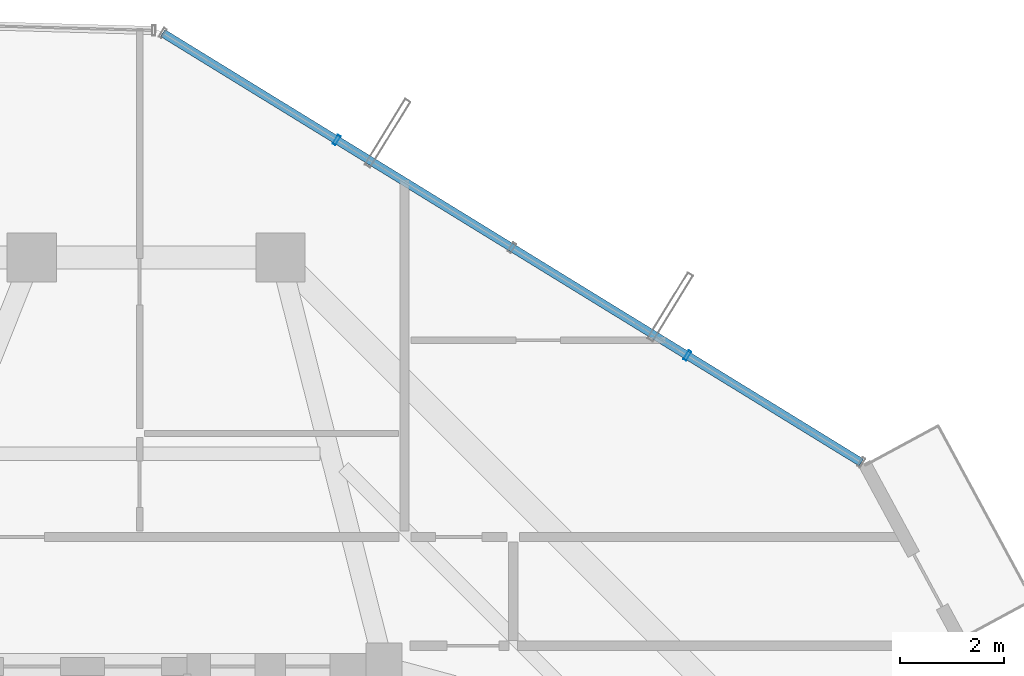
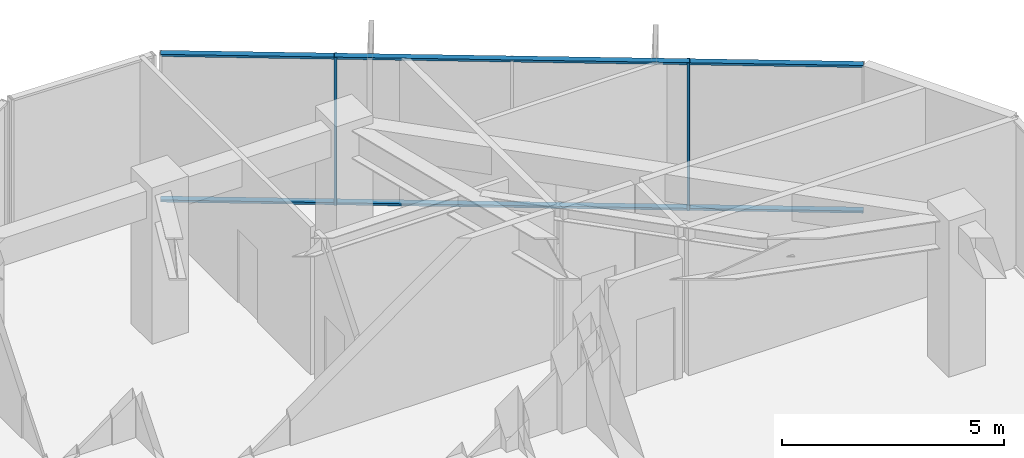
# One storey, part 16 of 22: 4 members, 1 element without a shape of its own.
"""IFC4 building model written with IfcOpenShell, lengths in metres."""

from ifc_helpers import new_model, si_unit, direction, frame, origin, origin_2d, place, context, subcontext, project, spatial, hollow_rectangle, extrude, source, transform, mapped, material, layer, layer_set, material_profile, profile_set, type_object, element, aggregate, save


model = new_model("IFC4")

# Units and contexts
model_context = context("Model", 3, precision=1e-05, world=origin(), true_north=direction((0.0, 1.0)))
body_context = subcontext(model_context, "Body", "Model", "MODEL_VIEW")
ifc_project = project(units=[si_unit("LENGTHUNIT", "METRE"), si_unit("AREAUNIT", "SQUARE_METRE"), si_unit("VOLUMEUNIT", "CUBIC_METRE"), si_unit("PLANEANGLEUNIT", "RADIAN"), si_unit("MASSUNIT", "GRAM", prefix="KILO")], contexts=[model_context])

# Site, building, storey
site_placement = place(None, origin())
site = spatial("IfcSite", under=ifc_project, at=site_placement, CompositionType="ELEMENT")
building_placement = place(site_placement, origin())
building = spatial("IfcBuilding", under=site, at=building_placement, Name="Veraguas Prism Commons", CompositionType="ELEMENT")
storey_placement = place(building_placement, frame((0.0, 0.0, 211.35009765625)))
storey = spatial("IfcBuildingStorey", under=building, at=storey_placement, Name="L60", CompositionType="ELEMENT", Elevation=211.35009765625)

# Curtain wall, members
ifc_material = material(Name="Anodised aluminium EN AW-6063 T6", Category="aluminium")
ifc_layer = layer(ifc_material, 0.199951171875, Name="Sky Lobby and Pool Acoustic Curtain Wall", Category="aluminium")
ifc_layer_set = layer_set([ifc_layer], Name="Anodised aluminium EN AW-6063 T6")
curtain_wall_type = type_object("IfcCurtainWallType", Name="Sky Lobby and Pool Acoustic Curtain Wall", PredefinedType="NOTDEFINED", material=ifc_layer_set)
curtain_wall_placement = place(storey_placement, origin())
curtain_wall = element("IfcCurtainWall", 1, at=curtain_wall_placement, inside=storey, type_object=curtain_wall_type, Name="Tower Facade Curtain Wall L60-F1", PredefinedType="NOTDEFINED")
ifc_material_profile_1 = material_profile(ifc_material, hollow_rectangle(XDim=0.06494140625, YDim=0.199951171875, WallThickness=0.00390625, at=origin_2d()), Name="AL65X200X4")
ifc_profile_set_1 = profile_set([ifc_material_profile_1], Name="Anodised aluminium EN AW-6063 T6")
member_type_1 = type_object("IfcMemberType", Name="Curtain Wall Mullion Heavy AL 65x200x4", PredefinedType="MULLION", material=ifc_profile_set_1)
shared_shape_1 = source(origin(), body_context, "Body", "SweptSolid", [
    extrude(hollow_rectangle(XDim=0.06494140625, YDim=0.199951171875, WallThickness=0.00390625, at=origin_2d()), origin(), (0.0, 0.0, 1.0), 4.06494140625),
])
member_1_placement = place(storey_placement, frame((36.66162109375, 37.005615234375, 0.0), z_axis=(0.0, 0.0, 1.0), x_axis=(-0.851908873825, 0.523690052129, 0.0)))
member_1 = element("IfcMember", 2, at=member_1_placement, type_object=member_type_1, Name="CW-SKY Mullion 2", PredefinedType="MULLION", context=body_context, shape_type="MappedRepresentation", body=[
    mapped(shared_shape_1, transform((0.0, 0.0, 0.0), scale=1.0)),
])
member_2_placement = place(storey_placement, frame((29.8876953125, 41.16943359375, 0.0), z_axis=(0.0, 0.0, 1.0), x_axis=(-0.851908873825, 0.523690052129, 0.0)))
member_2 = element("IfcMember", 3, at=member_2_placement, type_object=member_type_1, Name="CW-SKY Mullion 4", PredefinedType="MULLION", context=body_context, shape_type="MappedRepresentation", body=[
    mapped(shared_shape_1, transform((0.0, 0.0, 0.0), scale=1.0)),
])
ifc_material_profile_2 = material_profile(ifc_material, hollow_rectangle(XDim=0.06005859375, YDim=0.159912109375, WallThickness=0.0029296875, at=origin_2d()), Name="AL60X160X3")
ifc_profile_set_2 = profile_set([ifc_material_profile_2], Name="Anodised aluminium EN AW-6063 T6")
member_type_2 = type_object("IfcMemberType", Name="Curtain Wall Transom Heavy AL 60x160x3", PredefinedType="USERDEFINED", material=ifc_profile_set_2)
shared_shape_2 = source(origin(), body_context, "Body", "SweptSolid", [
    extrude(hollow_rectangle(XDim=0.06005859375, YDim=0.159912109375, WallThickness=0.0029296875, at=origin_2d()), origin(), (0.0, 0.0, 1.0), 15.837646484375),
])
member_3_placement = place(storey_placement, frame((40.020751953125, 34.9404296875, 0.02978515625), z_axis=(-0.85191015562, 0.523687966972, 0.0), x_axis=(0.0, 0.0, 1.0)))
member_3 = element("IfcMember", 4, at=member_3_placement, type_object=member_type_2, Name="CW-SKY Transom 1", ObjectType="TRANSOM", PredefinedType="USERDEFINED", context=body_context, shape_type="MappedRepresentation", body=[
    mapped(shared_shape_2, transform((0.0, 0.0, 0.0), scale=1.0)),
])
member_4_placement = place(storey_placement, frame((40.020751953125, 34.9404296875, 4.034912109375), z_axis=(-0.85191015562, 0.523687966972, 0.0), x_axis=(0.0, 0.0, 1.0)))
member_4 = element("IfcMember", 5, at=member_4_placement, type_object=member_type_2, Name="CW-SKY Transom 2", ObjectType="TRANSOM", PredefinedType="USERDEFINED", context=body_context, shape_type="MappedRepresentation", body=[
    mapped(shared_shape_2, transform((0.0, 0.0, 0.0), scale=1.0)),
])
aggregate(curtain_wall, [member_1, member_2, member_3, member_4])

save(model, "model.ifc")
